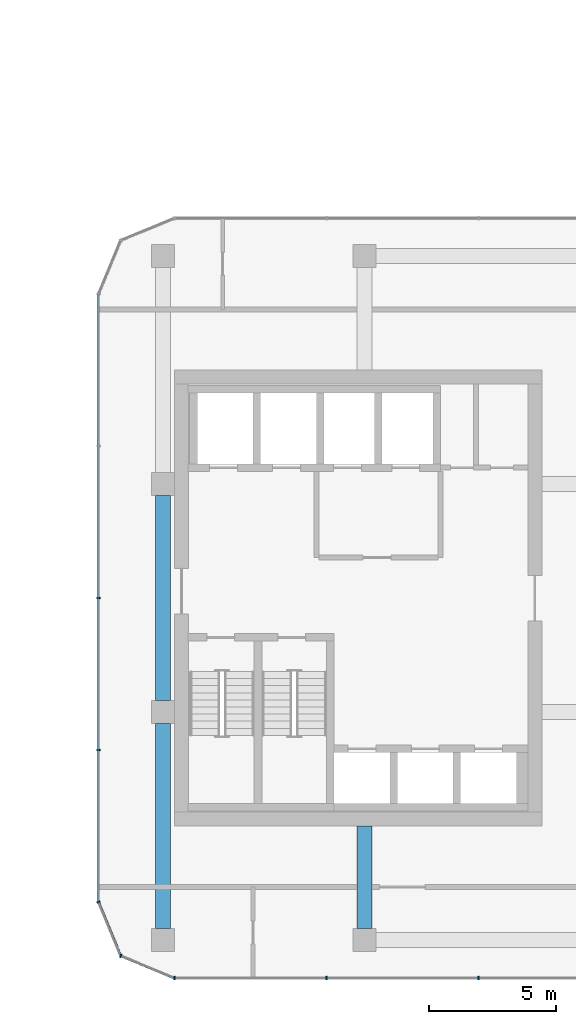
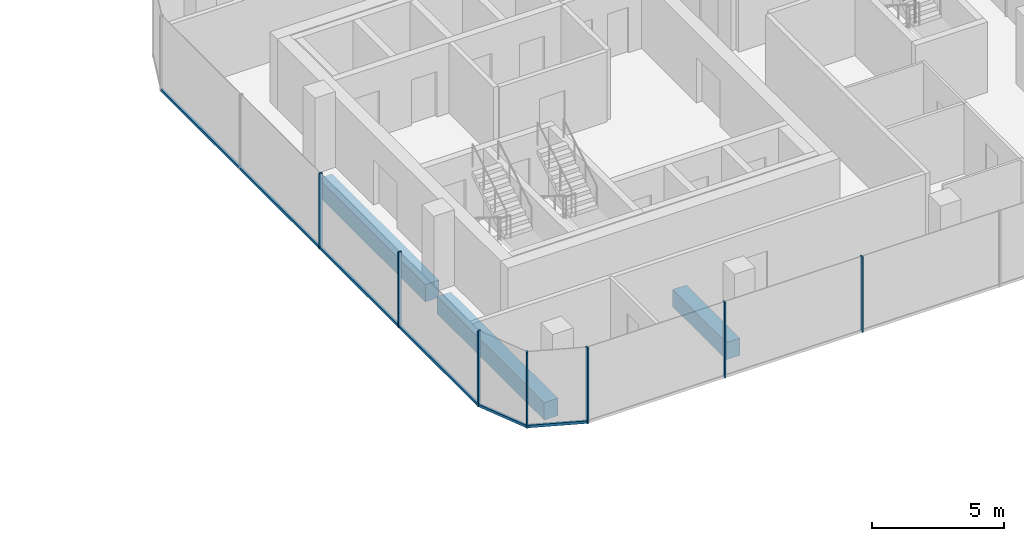
# One storey, part 7 of 23: 10 members, 3 beams, 4 elements without a shape of their own.
"""IFC4 building model written with IfcOpenShell, lengths in metres."""

from ifc_helpers import new_model, si_unit, direction, frame, origin, origin_2d, place, context, subcontext, project, spatial, rectangle, extrude, material, layer, layer_set, material_profile, profile_set, type_object, element, aggregate, save


model = new_model("IFC4")

# Units and contexts
model_context = context("Model", 3, precision=1e-05, world=origin(), true_north=direction((0.0, 1.0)))
body_context = subcontext(model_context, "Body", "Model", "MODEL_VIEW")
ifc_project = project(units=[si_unit("LENGTHUNIT", "METRE"), si_unit("AREAUNIT", "SQUARE_METRE"), si_unit("VOLUMEUNIT", "CUBIC_METRE"), si_unit("PLANEANGLEUNIT", "RADIAN"), si_unit("MASSUNIT", "GRAM", prefix="KILO")], contexts=[model_context])

# Site, building, storey
site_placement = place(None, origin())
site = spatial("IfcSite", under=ifc_project, at=site_placement, CompositionType="ELEMENT")
building_placement = place(site_placement, origin())
building = spatial("IfcBuilding", under=site, at=building_placement, Name="Plateau Cross Towers", CompositionType="ELEMENT")
storey_placement = place(building_placement, frame((0.0, 0.0, 37.300048828125)))
storey = spatial("IfcBuildingStorey", under=building, at=storey_placement, Name="L08", CompositionType="ELEMENT", Elevation=37.300048828125)

# Beam
ifc_material_1 = material(Name="Concrete C60/75", Category="concrete")
ifc_material_profile_1 = material_profile(ifc_material_1, rectangle(XDim=0.60009765625, YDim=0.800048828125, at=origin_2d()), Name="RC 600x800")
ifc_profile_set_1 = profile_set([ifc_material_profile_1], Name="Concrete C60/75")
beam_type_1 = type_object("IfcBeamType", Name="Core beam RC 600x800", PredefinedType="BEAM", material=ifc_profile_set_1)
beam_placement = place(storey_placement, frame((82.5, 0.0, -0.650146484375), z_axis=(0.0, -1.0, 0.0), x_axis=(1.0, 0.0, 0.0)))
element("IfcBeam", 1, at=beam_placement, inside=storey, type_object=beam_type_1, Name="B-CB01@L08", PredefinedType="BEAM", context=body_context, shape_type="SweptSolid", body=[
    extrude(rectangle(XDim=0.60009765625, YDim=0.800048828125, at=origin_2d()), origin(), (0.0, 0.0, 1.0), 4.050048828125),
])

# Curtain wall, members
ifc_material_2 = material(Name="Dark low-iron glass", Category="glass")
ifc_layer = layer(ifc_material_2, 0.239990234375)
ifc_layer_set = layer_set([ifc_layer], Name="Dark low-iron glass")
curtain_wall_type = type_object("IfcCurtainWallType", Name="Curtain wall office unitised CW-F", PredefinedType="NOTDEFINED", material=ifc_layer_set)
curtain_wall_1_placement = place(storey_placement, origin())
curtain_wall_1 = element("IfcCurtainWall", 2, at=curtain_wall_1_placement, inside=storey, type_object=curtain_wall_type, Name="ENV/B/L08/B750_-60", PredefinedType="NOTDEFINED")
ifc_material_3 = material(Name="Black anodised aluminium", Category="aluminium")
ifc_material_profile_2 = material_profile(ifc_material_3, rectangle(XDim=0.06005859375, YDim=0.139892578125, at=origin_2d()), Name="MULLION 60x140")
ifc_profile_set_2 = profile_set([ifc_material_profile_2], Name="Black anodised aluminium")
member_type_1 = type_object("IfcMemberType", Name="Mullion 60x140 office unitised", PredefinedType="MULLION", material=ifc_profile_set_2)
member_1_placement = place(storey_placement, frame((75.0, -6.0, -0.25), z_axis=(0.0, 0.0, 1.0), x_axis=(1.0, 0.0, 0.0)))
member_1 = element("IfcMember", 3, at=member_1_placement, type_object=member_type_1, Name="CW-F mullion 1", PredefinedType="MULLION", context=body_context, shape_type="SweptSolid", body=[
    extrude(rectangle(XDim=0.06005859375, YDim=0.139892578125, at=origin_2d()), origin(), (0.0, 0.0, 1.0), 3.5),
])
member_2_placement = place(storey_placement, frame((81.0, -6.0, -0.25), z_axis=(0.0, 0.0, 1.0), x_axis=(1.0, 0.0, 0.0)))
member_2 = element("IfcMember", 4, at=member_2_placement, type_object=member_type_1, Name="CW-F mullion 2", PredefinedType="MULLION", context=body_context, shape_type="SweptSolid", body=[
    extrude(rectangle(XDim=0.06005859375, YDim=0.139892578125, at=origin_2d()), origin(), (0.0, 0.0, 1.0), 3.5),
])
member_3_placement = place(storey_placement, frame((87.0, -6.0, -0.25), z_axis=(0.0, 0.0, 1.0), x_axis=(1.0, 0.0, 0.0)))
member_3 = element("IfcMember", 5, at=member_3_placement, type_object=member_type_1, Name="CW-F mullion 3", PredefinedType="MULLION", context=body_context, shape_type="SweptSolid", body=[
    extrude(rectangle(XDim=0.06005859375, YDim=0.139892578125, at=origin_2d()), origin(), (0.0, 0.0, 1.0), 3.5),
])
aggregate(curtain_wall_1, [member_1, member_2, member_3])

curtain_wall_2_placement = place(storey_placement, origin())
curtain_wall_2 = element("IfcCurtainWall", 6, at=curtain_wall_2_placement, inside=storey, type_object=curtain_wall_type, Name="ENV/B/L08/B720_210", PredefinedType="NOTDEFINED")
member_4_placement = place(storey_placement, frame((72.0, 9.0, -0.25), z_axis=(0.0, 0.0, 1.0), x_axis=(0.0, -1.0, 0.0)))
member_4 = element("IfcMember", 7, at=member_4_placement, type_object=member_type_1, Name="CW-F mullion 3", PredefinedType="MULLION", context=body_context, shape_type="SweptSolid", body=[
    extrude(rectangle(XDim=0.06005859375, YDim=0.139892578125, at=origin_2d()), origin(), (0.0, 0.0, 1.0), 3.5),
])
member_5_placement = place(storey_placement, frame((72.0, 3.0, -0.25), z_axis=(0.0, 0.0, 1.0), x_axis=(0.0, -1.0, 0.0)))
member_5 = element("IfcMember", 8, at=member_5_placement, type_object=member_type_1, Name="CW-F mullion 4", PredefinedType="MULLION", context=body_context, shape_type="SweptSolid", body=[
    extrude(rectangle(XDim=0.06005859375, YDim=0.139892578125, at=origin_2d()), origin(), (0.0, 0.0, 1.0), 3.5),
])

# Curtain wall, member
curtain_wall_3_placement = place(storey_placement, origin())
curtain_wall_3 = element("IfcCurtainWall", 9, at=curtain_wall_3_placement, inside=storey, type_object=curtain_wall_type, Name="ENV/B/L08/B720_-30", PredefinedType="NOTDEFINED")
member_6_placement = place(storey_placement, frame((72.0, -3.0, -0.25), z_axis=(0.0, 0.0, 1.0), x_axis=(0.382683612978, -0.923879457699, 0.0)))
member_6 = element("IfcMember", 10, at=member_6_placement, type_object=member_type_1, Name="CW-F mullion 1", PredefinedType="MULLION", context=body_context, shape_type="SweptSolid", body=[
    extrude(rectangle(XDim=0.06005859375, YDim=0.139892578125, at=origin_2d()), origin(), (0.0, 0.0, 1.0), 3.5),
])

curtain_wall_4_placement = place(storey_placement, origin())
curtain_wall_4 = element("IfcCurtainWall", 11, at=curtain_wall_4_placement, inside=storey, type_object=curtain_wall_type, Name="ENV/B/L08/B729_-51", PredefinedType="NOTDEFINED")
member_7_placement = place(storey_placement, frame((72.878662109375, -5.121337890625, -0.25), z_axis=(0.0, 0.0, 1.0), x_axis=(0.923879457699, -0.382683612978, 0.0)))
member_7 = element("IfcMember", 12, at=member_7_placement, type_object=member_type_1, Name="CW-F mullion 1", PredefinedType="MULLION", context=body_context, shape_type="SweptSolid", body=[
    extrude(rectangle(XDim=0.06005859375, YDim=0.139892578125, at=origin_2d()), origin(), (0.0, 0.0, 1.0), 3.5),
])

# Beams
ifc_material_profile_3 = material_profile(ifc_material_1, rectangle(XDim=0.60009765625, YDim=0.800048828125, at=origin_2d()), Name="RC 600x800")
ifc_profile_set_3 = profile_set([ifc_material_profile_3], Name="Concrete C60/75")
beam_type_2 = type_object("IfcBeamType", Name="Ring beam RC 600x800", PredefinedType="BEAM", material=ifc_profile_set_3)
for number, where, z_axis, x_axis, name in (
    (13, (74.550048828125, 13.050048828125, -0.650146484375), (0.0, -1.0, 0.0), (1.0, 0.0, 0.0), "B-RB09@L08"),
    (14, (74.550048828125, 4.050048828125, -0.650146484375), (0.0, -1.0, 0.0), (1.0, 0.0, 0.0), "B-RB10@L08"),
):
    element("IfcBeam", number, at=place(storey_placement, frame(where, z_axis=z_axis, x_axis=x_axis)), inside=storey, type_object=beam_type_2, Name=name, PredefinedType="BEAM", context=body_context, shape_type="SweptSolid", body=[
        extrude(rectangle(XDim=0.60009765625, YDim=0.800048828125, at=origin_2d()), origin(), (0.0, 0.0, 1.0), 8.10009765625),
    ])

# Member
ifc_material_profile_4 = material_profile(ifc_material_3, rectangle(XDim=0.10009765625, YDim=0.1201171875, at=origin_2d()), Name="TRANSOM 100x120")
ifc_profile_set_4 = profile_set([ifc_material_profile_4], Name="Black anodised aluminium")
member_type_2 = type_object("IfcMemberType", Name="Transom 100x120 office unitised", PredefinedType="USERDEFINED", material=ifc_profile_set_4)
member_8_placement = place(storey_placement, frame((72.0, 21.0, -0.18994140625), z_axis=(0.0, -1.0, 0.0), x_axis=(1.0, 0.0, 0.0)))
member_8 = element("IfcMember", 15, at=member_8_placement, type_object=member_type_2, Name="CW-F transom", ObjectType="TRANSOM", PredefinedType="USERDEFINED", context=body_context, shape_type="SweptSolid", body=[
    extrude(rectangle(XDim=0.10009765625, YDim=0.1201171875, at=origin_2d()), origin(), (0.0, 0.0, 1.0), 24.0),
])

aggregate(curtain_wall_2, [member_4, member_5, member_8])

member_9_placement = place(storey_placement, frame((72.0, -3.0, -0.18994140625), z_axis=(0.382674207535, -0.923883353507, 0.0), x_axis=(0.923883353507, 0.382674207535, 0.0)))
member_9 = element("IfcMember", 16, at=member_9_placement, type_object=member_type_2, Name="CW-F transom", ObjectType="TRANSOM", PredefinedType="USERDEFINED", context=body_context, shape_type="SweptSolid", body=[
    extrude(rectangle(XDim=0.10009765625, YDim=0.1201171875, at=origin_2d()), origin(), (0.0, 0.0, 1.0), 2.296142578125),
])

aggregate(curtain_wall_3, [member_6, member_9])

member_10_placement = place(storey_placement, frame((72.878662109375, -5.121337890625, -0.18994140625), z_axis=(0.923883353507, -0.382674207535, 0.0), x_axis=(0.382674207535, 0.923883353507, 0.0)))
member_10 = element("IfcMember", 17, at=member_10_placement, type_object=member_type_2, Name="CW-F transom", ObjectType="TRANSOM", PredefinedType="USERDEFINED", context=body_context, shape_type="SweptSolid", body=[
    extrude(rectangle(XDim=0.10009765625, YDim=0.1201171875, at=origin_2d()), origin(), (0.0, 0.0, 1.0), 2.296142578125),
])

aggregate(curtain_wall_4, [member_7, member_10])

save(model, "model.ifc")
